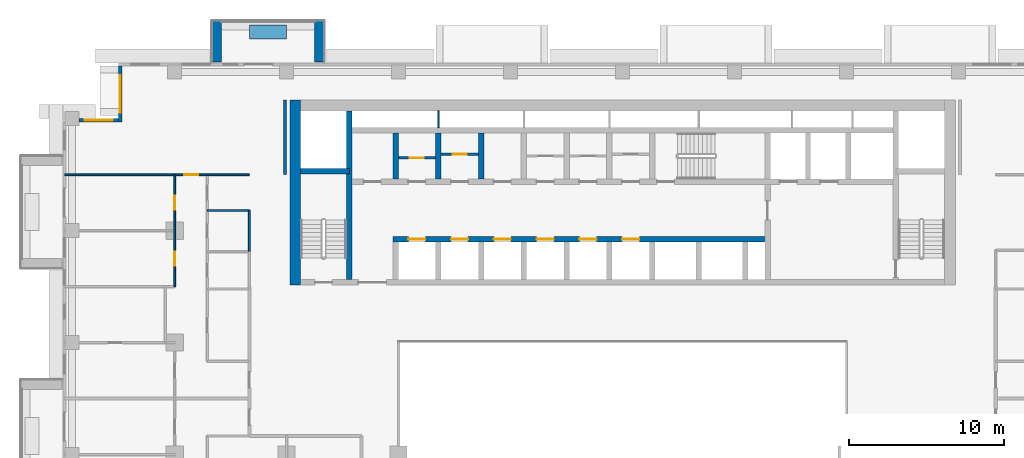
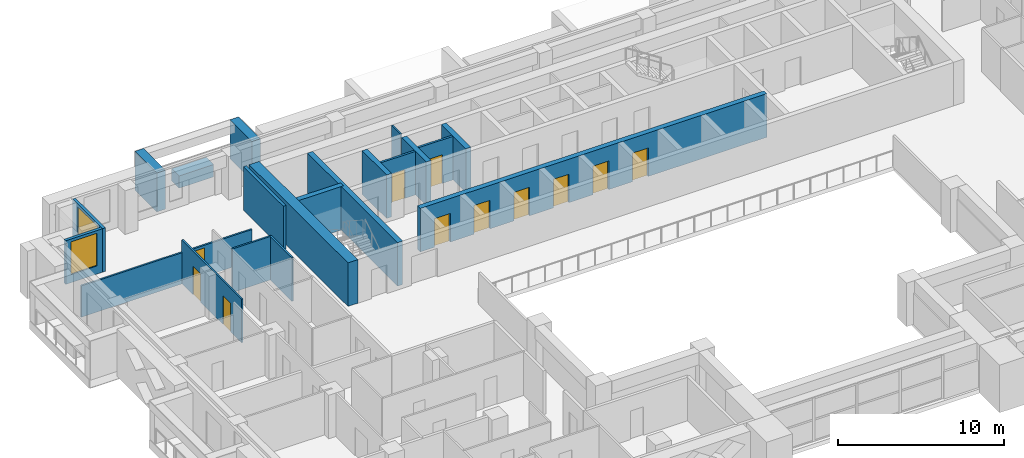
# One storey, part 10 of 20: 20 walls, 11 doors, 2 windows, 13 openings.
"""IFC4 building model written with IfcOpenShell, lengths in metres."""

from ifc_helpers import new_model, si_unit, direction, frame, frame_2d, origin, place, context, subcontext, project, spatial, rectangle, extrude, material, layer, layer_set, type_object, element, fill, save


model = new_model("IFC4")

# Units and contexts
model_context = context("Model", 3, precision=1e-05, world=origin(), true_north=direction((0.0, 1.0)))
body_context = subcontext(model_context, "Body", "Model", "MODEL_VIEW")
ifc_project = project(units=[si_unit("LENGTHUNIT", "METRE"), si_unit("AREAUNIT", "SQUARE_METRE"), si_unit("VOLUMEUNIT", "CUBIC_METRE"), si_unit("PLANEANGLEUNIT", "RADIAN"), si_unit("MASSUNIT", "GRAM", prefix="KILO")], contexts=[model_context])

# Site, building, storey
site_placement = place(None, origin())
site = spatial("IfcSite", under=ifc_project, at=site_placement, CompositionType="ELEMENT")
building_placement = place(site_placement, origin())
building = spatial("IfcBuilding", under=site, at=building_placement, Name="Saffron Iwan Residences", CompositionType="ELEMENT")
storey_placement = place(building_placement, frame((0.0, 0.0, 123.5)))
storey = spatial("IfcBuildingStorey", under=building, at=storey_placement, Name="L32", CompositionType="ELEMENT", Elevation=123.5)

# Walls
ifc_material_1 = material(Name="Concrete C50/60 white painted", Category="concrete")
ifc_layer_1 = layer(ifc_material_1, 0.60009765625)
ifc_layer_set_1 = layer_set([ifc_layer_1], Name="Concrete C50/60 white painted")
wall_type_1 = type_object("IfcWallType", Name="BALCONY FIN 600", PredefinedType="SOLIDWALL", material=ifc_layer_set_1)
for number, where, z_axis, x_axis, name in (
    (1, (30.89990234375, 80.449951171875, 0.0), (0.0, 0.0, 1.0), (0.0, 1.0, 0.0), "Balcony fin L32 F5-3a"),
    (2, (24.300048828125, 80.449951171875, 0.0), (0.0, 0.0, 1.0), (0.0, 1.0, 0.0), "Balcony fin L32 F5-3b"),
):
    element("IfcWall", number, at=place(storey_placement, frame(where, z_axis=z_axis, x_axis=x_axis)), inside=storey, type_object=wall_type_1, Name=name, PredefinedType="SOLIDWALL", context=body_context, shape_type="SweptSolid", body=[
        extrude(rectangle(XDim=2.650146484375, YDim=0.60009765625, at=frame_2d((1.3251953125, 0.0))), origin(), (0.0, 0.0, 1.0), 2.85009765625),
    ])
ifc_material_2 = material(Name="Concrete C35/45 white painted", Category="concrete")
ifc_layer_2 = layer(ifc_material_2, 0.14990234375)
ifc_layer_set_2 = layer_set([ifc_layer_2], Name="Concrete C35/45 white painted")
wall_type_2 = type_object("IfcWallType", Name="BALCONY PLANTER", PredefinedType="SOLIDWALL", material=ifc_layer_set_2)
wall_1_placement = place(storey_placement, frame((28.800048828125, 82.375, 0.0), z_axis=(0.0, 0.0, 1.0), x_axis=(-1.0, 0.0, 0.0)))
element("IfcWall", 3, at=wall_1_placement, inside=storey, type_object=wall_type_2, Name="PLANTER L32 F5-3", PredefinedType="SOLIDWALL", context=body_context, shape_type="SweptSolid", body=[
    extrude(rectangle(XDim=2.400146484375, YDim=0.89990234375, at=frame_2d((1.2001953125, 0.0))), origin(), (0.0, 0.0, 1.0), 0.89990234375),
])

# Wall, opening, door
ifc_material_3 = material(Name="Fire-rated plasterboard partition")
ifc_layer_3 = layer(ifc_material_3, 0.14990234375)
ifc_layer_set_3 = layer_set([ifc_layer_3], Name="Fire-rated plasterboard partition")
wall_type_3 = type_object("IfcWallType", Name="Core partition 150", PredefinedType="PARTITIONING", material=ifc_layer_set_3)
wall_2_placement = place(storey_placement, frame((35.97509765625, 74.281982421875, 0.0), z_axis=(0.0, 0.0, 1.0), x_axis=(1.0, 0.0, 0.0)))
wall_2 = element("IfcWall", 4, at=wall_2_placement, inside=storey, type_object=wall_type_3, Name="Core partition P01", PredefinedType="PARTITIONING", context=body_context, shape_type="SweptSolid", body=[
    extrude(rectangle(XDim=2.39990234375, YDim=0.14990234375, at=frame_2d((1.199951171875, 0.0))), origin(), (0.0, 0.0, 1.0), 3.199951171875),
])
opening_1_placement = place(wall_2_placement, frame((0.75, 0.0, 0.0)))
opening_1 = element("IfcOpeningElement", 5, at=opening_1_placement, cuts=wall_2, Name="Opening SB", PredefinedType="OPENING", context=body_context, shape_type="SweptSolid", body=[
    extrude(rectangle(XDim=0.89990234375, YDim=2.10009765625, at=frame_2d((0.449951171875, 1.050048828125))), frame((0.0, 0.0849609375, 0.0), z_axis=(0.0, -1.0, 0.0), x_axis=(1.0, 0.0, 0.0)), (0.0, 0.0, 1.0), 0.169921875),
])
ifc_material_4 = material(Name="Steel fire door", Category="steel")
door_type_1 = type_object("IfcDoorType", Name="Store door 900", OperationType="NOTDEFINED", PredefinedType="DOOR", material=ifc_material_4)
door_1_placement = place(opening_1_placement, origin())
door_1 = element("IfcDoor", 6, at=door_1_placement, inside=storey, type_object=door_type_1, Name="Door Stationery store", OperationType="SINGLE_SWING_LEFT", OverallHeight=2.10009765625, OverallWidth=0.89990234375, PredefinedType="DOOR", context=body_context, shape_type="SweptSolid", body=[
    extrude(rectangle(XDim=0.89990234375, YDim=2.10009765625, at=frame_2d((0.449951171875, 1.050048828125))), frame((0.0, 0.02490234375, 0.0), z_axis=(0.0, -1.0, 0.0), x_axis=(1.0, 0.0, 0.0)), (0.0, 0.0, 1.0), 0.050048828125),
])
fill(opening_1, door_1)

wall_3_placement = place(storey_placement, frame((38.72509765625, 74.51806640625, 0.0), z_axis=(0.0, 0.0, 1.0), x_axis=(1.0, 0.0, 0.0)))
wall_3 = element("IfcWall", 7, at=wall_3_placement, inside=storey, type_object=wall_type_3, Name="Core partition P02", PredefinedType="PARTITIONING", context=body_context, shape_type="SweptSolid", body=[
    extrude(rectangle(XDim=2.39990234375, YDim=0.14990234375, at=frame_2d((1.199951171875, 0.0))), origin(), (0.0, 0.0, 1.0), 3.199951171875),
])
opening_2_placement = place(wall_3_placement, frame((0.75, 0.0, 0.0)))
opening_2 = element("IfcOpeningElement", 8, at=opening_2_placement, cuts=wall_3, Name="Opening SB", PredefinedType="OPENING", context=body_context, shape_type="SweptSolid", body=[
    extrude(rectangle(XDim=0.89990234375, YDim=2.10009765625, at=frame_2d((0.449951171875, 1.050048828125))), frame((0.0, 0.0849609375, 0.0), z_axis=(0.0, -1.0, 0.0), x_axis=(1.0, 0.0, 0.0)), (0.0, 0.0, 1.0), 0.169921875),
])
door_2_placement = place(opening_2_placement, origin())
door_2 = element("IfcDoor", 9, at=door_2_placement, inside=storey, type_object=door_type_1, Name="Door Tool store", OperationType="SINGLE_SWING_LEFT", OverallHeight=2.10009765625, OverallWidth=0.89990234375, PredefinedType="DOOR", context=body_context, shape_type="SweptSolid", body=[
    extrude(rectangle(XDim=0.89990234375, YDim=2.10009765625, at=frame_2d((0.449951171875, 1.050048828125))), frame((0.0, 0.02490234375, 0.0), z_axis=(0.0, -1.0, 0.0), x_axis=(1.0, 0.0, 0.0)), (0.0, 0.0, 1.0), 0.050048828125),
])
fill(opening_2, door_2)

# Wall, opening, window
ifc_material_5 = material(Name="Concrete C40/50", Category="concrete")
ifc_layer_4 = layer(ifc_material_5, 0.199951171875)
ifc_layer_set_4 = layer_set([ifc_layer_4], Name="Concrete C40/50")
wall_type_4 = type_object("IfcWallType", Name="EXTERNAL WALL 200", PredefinedType="SOLIDWALL", material=ifc_layer_set_4)
wall_4_placement = place(storey_placement, frame((18.10009765625, 80.199951171875, 0.0), z_axis=(0.0, 0.0, 1.0), x_axis=(0.0, -1.0, 0.0)))
wall_4 = element("IfcWall", 10, at=wall_4_placement, inside=storey, type_object=wall_type_4, Name="External wall L32 F6.0", PredefinedType="SOLIDWALL", context=body_context, shape_type="SweptSolid", body=[
    extrude(rectangle(XDim=3.599853515625, YDim=0.199951171875, at=frame_2d((1.7998046875, 0.0))), origin(), (0.0, 0.0, 1.0), 3.199951171875),
])
opening_3_placement = place(wall_4_placement, frame((0.60009765625, 0.0, 0.60009765625)))
opening_3 = element("IfcOpeningElement", 11, at=opening_3_placement, cuts=wall_4, Name="Opening W1", PredefinedType="OPENING", context=body_context, shape_type="SweptSolid", body=[
    extrude(rectangle(XDim=2.39990234375, YDim=2.39990234375, at=frame_2d((1.199951171875, 1.199951171875))), frame((0.0, 0.10986328125, 0.0), z_axis=(0.0, -1.0, 0.0), x_axis=(1.0, 0.0, 0.0)), (0.0, 0.0, 1.0), 0.219970703125),
])
ifc_material_6 = material(Name="Clear glass, laminated double glazed", Category="glass")
window_type_1 = type_object("IfcWindowType", Name="WINDOW 2400 x 2400", PartitioningType="DOUBLE_PANEL_VERTICAL", PredefinedType="WINDOW", material=ifc_material_6)
window_1_placement = place(opening_3_placement, origin())
window_1 = element("IfcWindow", 12, at=window_1_placement, inside=storey, type_object=window_type_1, Name="Window L32 F6.0", OverallHeight=2.39990234375, OverallWidth=2.39990234375, PartitioningType="DOUBLE_PANEL_VERTICAL", PredefinedType="WINDOW", context=body_context, shape_type="SweptSolid", body=[
    extrude(rectangle(XDim=2.39990234375, YDim=2.39990234375, at=frame_2d((1.199951171875, 1.199951171875))), frame((0.0, 0.030029296875, 0.0), z_axis=(0.0, -1.0, 0.0), x_axis=(1.0, 0.0, 0.0)), (0.0, 0.0, 1.0), 0.06005859375),
])
fill(opening_3, window_1)

wall_5_placement = place(storey_placement, frame((18.0, 76.699951171875, 0.0), z_axis=(0.0, 0.0, 1.0), x_axis=(-1.0, 0.0, 0.0)))
wall_5 = element("IfcWall", 13, at=wall_5_placement, inside=storey, type_object=wall_type_4, Name="External wall L32 F7.0", PredefinedType="SOLIDWALL", context=body_context, shape_type="SweptSolid", body=[
    extrude(rectangle(XDim=2.550048828125, YDim=0.199951171875, at=frame_2d((1.27490234375, 0.0))), origin(), (0.0, 0.0, 1.0), 3.199951171875),
])
opening_4_placement = place(wall_5_placement, frame((0.375, 0.0, 0.60009765625)))
opening_4 = element("IfcOpeningElement", 14, at=opening_4_placement, cuts=wall_5, Name="Opening W8", PredefinedType="OPENING", context=body_context, shape_type="SweptSolid", body=[
    extrude(rectangle(XDim=1.800048828125, YDim=2.39990234375, at=frame_2d((0.89990234375, 1.199951171875))), frame((0.0, 0.10986328125, 0.0), z_axis=(0.0, -1.0, 0.0), x_axis=(1.0, 0.0, 0.0)), (0.0, 0.0, 1.0), 0.219970703125),
])
window_type_2 = type_object("IfcWindowType", Name="WINDOW 1800 x 2400", PartitioningType="DOUBLE_PANEL_VERTICAL", PredefinedType="WINDOW", material=ifc_material_6)
window_2_placement = place(opening_4_placement, origin())
window_2 = element("IfcWindow", 15, at=window_2_placement, inside=storey, type_object=window_type_2, Name="Window L32 F7.0", OverallHeight=2.39990234375, OverallWidth=1.800048828125, PartitioningType="DOUBLE_PANEL_VERTICAL", PredefinedType="WINDOW", context=body_context, shape_type="SweptSolid", body=[
    extrude(rectangle(XDim=1.800048828125, YDim=2.39990234375, at=frame_2d((0.89990234375, 1.199951171875))), frame((0.0, 0.030029296875, 0.0), z_axis=(0.0, -1.0, 0.0), x_axis=(1.0, 0.0, 0.0)), (0.0, 0.0, 1.0), 0.06005859375),
])
fill(opening_4, window_2)

# Wall
ifc_material_7 = material(Name="Gypsum board partition")
ifc_layer_5 = layer(ifc_material_7, 0.1201171875)
ifc_layer_set_5 = layer_set([ifc_layer_5], Name="Gypsum board partition")
wall_type_5 = type_object("IfcWallType", Name="Flat partition 120", PredefinedType="PARTITIONING", material=ifc_layer_set_5)
wall_6_placement = place(storey_placement, frame((23.699951171875, 70.89990234375, 0.0), z_axis=(0.0, 0.0, 1.0), x_axis=(1.0, 0.0, 0.0)))
element("IfcWall", 16, at=wall_6_placement, inside=storey, type_object=wall_type_5, Name="W-L32-PART-h70.9-23.7", PredefinedType="PARTITIONING", context=body_context, shape_type="SweptSolid", body=[
    extrude(rectangle(XDim=2.699951171875, YDim=0.1201171875, at=frame_2d((1.35009765625, 0.0))), origin(), (0.0, 0.0, 1.0), 3.199951171875),
])

# Wall, opening, door
wall_7_placement = place(storey_placement, frame((14.52490234375, 73.199951171875, 0.0), z_axis=(0.0, 0.0, 1.0), x_axis=(1.0, 0.0, 0.0)))
wall_7 = element("IfcWall", 17, at=wall_7_placement, inside=storey, type_object=wall_type_5, Name="W-L32-PART-h73.2-14.525", PredefinedType="PARTITIONING", context=body_context, shape_type="SweptSolid", body=[
    extrude(rectangle(XDim=11.875, YDim=0.1201171875, at=frame_2d((5.9375, 0.0))), origin(), (0.0, 0.0, 1.0), 2.300048828125),
])
opening_5_placement = place(wall_7_placement, frame((7.675048828125, 0.0, 0.0)))
opening_5 = element("IfcOpeningElement", 18, at=opening_5_placement, cuts=wall_7, Name="Opening FD2", PredefinedType="OPENING", context=body_context, shape_type="SweptSolid", body=[
    extrude(rectangle(XDim=0.89990234375, YDim=2.10009765625, at=frame_2d((0.449951171875, 1.050048828125))), frame((0.0, 0.070068359375, 0.0), z_axis=(0.0, -1.0, 0.0), x_axis=(1.0, 0.0, 0.0)), (0.0, 0.0, 1.0), 0.14013671875),
])
ifc_material_8 = material(Name="Timber door", Category="wood")
door_type_2 = type_object("IfcDoorType", Name="Flat door 900", OperationType="NOTDEFINED", PredefinedType="DOOR", material=ifc_material_8)
door_3_placement = place(opening_5_placement, origin())
door_3 = element("IfcDoor", 19, at=door_3_placement, inside=storey, type_object=door_type_2, Name="Door L32-024", OperationType="SINGLE_SWING_LEFT", OverallHeight=2.10009765625, OverallWidth=0.89990234375, PredefinedType="DOOR", context=body_context, shape_type="SweptSolid", body=[
    extrude(rectangle(XDim=0.89990234375, YDim=2.10009765625, at=frame_2d((0.449951171875, 1.050048828125))), frame((0.0, 0.02490234375, 0.0), z_axis=(0.0, -1.0, 0.0), x_axis=(1.0, 0.0, 0.0)), (0.0, 0.0, 1.0), 0.050048828125),
])
fill(opening_5, door_3)

# Wall, openings, doors
wall_8_placement = place(storey_placement, frame((21.60009765625, 66.0, 0.0), z_axis=(0.0, 0.0, 1.0), x_axis=(0.0, 1.0, 0.0)))
wall_8 = element("IfcWall", 20, at=wall_8_placement, inside=storey, type_object=wall_type_5, Name="W-L32-PART-v21.6-66", PredefinedType="PARTITIONING", context=body_context, shape_type="SweptSolid", body=[
    extrude(rectangle(XDim=7.199951171875, YDim=0.1201171875, at=frame_2d((3.60009765625, 0.0))), origin(), (0.0, 0.0, 1.0), 3.199951171875),
])
opening_6_placement = place(wall_8_placement, frame((1.35009765625, 0.0, 0.0)))
opening_6 = element("IfcOpeningElement", 21, at=opening_6_placement, cuts=wall_8, Name="Opening FD2", PredefinedType="OPENING", context=body_context, shape_type="SweptSolid", body=[
    extrude(rectangle(XDim=0.89990234375, YDim=2.10009765625, at=frame_2d((0.449951171875, 1.050048828125))), frame((0.0, 0.070068359375, 0.0), z_axis=(0.0, -1.0, 0.0), x_axis=(1.0, 0.0, 0.0)), (0.0, 0.0, 1.0), 0.14013671875),
])
opening_7_placement = place(wall_8_placement, frame((4.949951171875, 0.0, 0.0)))
opening_7 = element("IfcOpeningElement", 22, at=opening_7_placement, cuts=wall_8, Name="Opening FD2", PredefinedType="OPENING", context=body_context, shape_type="SweptSolid", body=[
    extrude(rectangle(XDim=0.89990234375, YDim=2.10009765625, at=frame_2d((0.449951171875, 1.050048828125))), frame((0.0, 0.070068359375, 0.0), z_axis=(0.0, -1.0, 0.0), x_axis=(1.0, 0.0, 0.0)), (0.0, 0.0, 1.0), 0.14013671875),
])
door_4_placement = place(opening_6_placement, origin())
door_4 = element("IfcDoor", 23, at=door_4_placement, inside=storey, type_object=door_type_2, Name="Door L32-022", OperationType="SINGLE_SWING_LEFT", OverallHeight=2.10009765625, OverallWidth=0.89990234375, PredefinedType="DOOR", context=body_context, shape_type="SweptSolid", body=[
    extrude(rectangle(XDim=0.89990234375, YDim=2.10009765625, at=frame_2d((0.449951171875, 1.050048828125))), frame((0.0, 0.02490234375, 0.0), z_axis=(0.0, -1.0, 0.0), x_axis=(1.0, 0.0, 0.0)), (0.0, 0.0, 1.0), 0.050048828125),
])
fill(opening_6, door_4)
door_5_placement = place(opening_7_placement, origin())
door_5 = element("IfcDoor", 24, at=door_5_placement, inside=storey, type_object=door_type_2, Name="Door L32-023", OperationType="SINGLE_SWING_RIGHT", OverallHeight=2.10009765625, OverallWidth=0.89990234375, PredefinedType="DOOR", context=body_context, shape_type="SweptSolid", body=[
    extrude(rectangle(XDim=0.89990234375, YDim=2.10009765625, at=frame_2d((0.449951171875, 1.050048828125))), frame((0.0, 0.02490234375, 0.0), z_axis=(0.0, -1.0, 0.0), x_axis=(1.0, 0.0, 0.0)), (0.0, 0.0, 1.0), 0.050048828125),
])
fill(opening_7, door_5)

# Walls
wall_9_placement = place(storey_placement, frame((26.39990234375, 68.25, 0.0), z_axis=(0.0, 0.0, 1.0), x_axis=(0.0, 1.0, 0.0)))
element("IfcWall", 25, at=wall_9_placement, inside=storey, type_object=wall_type_5, Name="W-L32-PART-v26.4-68.25", PredefinedType="PARTITIONING", context=body_context, shape_type="SweptSolid", body=[
    extrude(rectangle(XDim=2.64990234375, YDim=0.1201171875, at=frame_2d((1.324951171875, 0.0))), origin(), (0.0, 0.0, 1.0), 3.199951171875),
])
ifc_material_9 = material(Name="Fire-rated gypsum board wall")
ifc_layer_6 = layer(ifc_material_9, 0.199951171875)
ifc_layer_set_6 = layer_set([ifc_layer_6], Name="Fire-rated gypsum board wall")
wall_type_6 = type_object("IfcWallType", Name="Gallery wall 200", PredefinedType="SOLIDWALL", material=ifc_layer_set_6)
wall_10_placement = place(storey_placement, frame((28.699951171875, 73.199951171875, 0.0), z_axis=(0.0, 0.0, 1.0), x_axis=(0.0, 1.0, 0.0)))
element("IfcWall", 26, at=wall_10_placement, inside=storey, type_object=wall_type_6, Name="W-L32-CORR-v28.8-73.2", PredefinedType="SOLIDWALL", context=body_context, shape_type="SweptSolid", body=[
    extrude(rectangle(XDim=4.800048828125, YDim=0.199951171875, at=frame_2d((2.39990234375, 0.0))), origin(), (0.0, 0.0, 1.0), 3.199951171875),
])
ifc_layer_7 = layer(ifc_material_3, 0.10009765625)
ifc_layer_set_7 = layer_set([ifc_layer_7], Name="Fire-rated plasterboard partition")
wall_type_7 = type_object("IfcWallType", Name="Riser partition 100", PredefinedType="PARTITIONING", material=ifc_layer_set_7)
wall_11_placement = place(storey_placement, frame((38.550048828125, 76.22509765625, 0.0), z_axis=(0.0, 0.0, 1.0), x_axis=(0.0, 1.0, 0.0)))
element("IfcWall", 27, at=wall_11_placement, inside=storey, type_object=wall_type_7, Name="Core partition P06", PredefinedType="PARTITIONING", context=body_context, shape_type="SweptSolid", body=[
    extrude(rectangle(XDim=1.074951171875, YDim=0.10009765625, at=frame_2d((0.53759765625, 0.0))), origin(), (0.0, 0.0, 1.0), 3.199951171875),
])

# Wall, openings, doors
ifc_material_10 = material(Name="Concrete C50/60", Category="concrete")
ifc_layer_8 = layer(ifc_material_10, 0.35009765625)
ifc_layer_set_8 = layer_set([ifc_layer_8], Name="Concrete C50/60")
wall_type_8 = type_object("IfcWallType", Name="WALL CORE 350 C50/60 3200 HIGH", PredefinedType="SHEAR", material=ifc_layer_set_8)
wall_12_placement = place(storey_placement, frame((35.625, 69.050048828125, 0.0), z_axis=(0.0, 0.0, 1.0), x_axis=(1.0, 0.0, 0.0)))
wall_12 = element("IfcWall", 28, at=wall_12_placement, inside=storey, type_object=wall_type_8, Name="Core wall", PredefinedType="SHEAR", context=body_context, shape_type="SweptSolid", body=[
    extrude(rectangle(XDim=24.10009765625, YDim=0.35009765625, at=frame_2d((12.050048828125, 0.0))), origin(), (0.0, 0.0, 1.0), 3.199951171875),
])
opening_8_placement = place(wall_12_placement, frame((1.0, 0.0, 0.0)))
opening_8 = element("IfcOpeningElement", 29, at=opening_8_placement, cuts=wall_12, Name="Opening LD", PredefinedType="OPENING", context=body_context, shape_type="SweptSolid", body=[
    extrude(rectangle(XDim=1.10009765625, YDim=2.10009765625, at=frame_2d((0.550048828125, 1.050048828125))), frame((0.0, 0.18505859375, 0.0), z_axis=(0.0, -1.0, 0.0), x_axis=(1.0, 0.0, 0.0)), (0.0, 0.0, 1.0), 0.3701171875),
])
opening_9_placement = place(wall_12_placement, frame((3.75, 0.0, 0.0)))
opening_9 = element("IfcOpeningElement", 30, at=opening_9_placement, cuts=wall_12, Name="Opening LD", PredefinedType="OPENING", context=body_context, shape_type="SweptSolid", body=[
    extrude(rectangle(XDim=1.10009765625, YDim=2.10009765625, at=frame_2d((0.550048828125, 1.050048828125))), frame((0.0, 0.18505859375, 0.0), z_axis=(0.0, -1.0, 0.0), x_axis=(1.0, 0.0, 0.0)), (0.0, 0.0, 1.0), 0.3701171875),
])
opening_10_placement = place(wall_12_placement, frame((6.5, 0.0, 0.0)))
opening_10 = element("IfcOpeningElement", 31, at=opening_10_placement, cuts=wall_12, Name="Opening LD", PredefinedType="OPENING", context=body_context, shape_type="SweptSolid", body=[
    extrude(rectangle(XDim=1.10009765625, YDim=2.10009765625, at=frame_2d((0.550048828125, 1.050048828125))), frame((0.0, 0.18505859375, 0.0), z_axis=(0.0, -1.0, 0.0), x_axis=(1.0, 0.0, 0.0)), (0.0, 0.0, 1.0), 0.3701171875),
])
opening_11_placement = place(wall_12_placement, frame((9.25, 0.0, 0.0)))
opening_11 = element("IfcOpeningElement", 32, at=opening_11_placement, cuts=wall_12, Name="Opening LD", PredefinedType="OPENING", context=body_context, shape_type="SweptSolid", body=[
    extrude(rectangle(XDim=1.10009765625, YDim=2.10009765625, at=frame_2d((0.550048828125, 1.050048828125))), frame((0.0, 0.18505859375, 0.0), z_axis=(0.0, -1.0, 0.0), x_axis=(1.0, 0.0, 0.0)), (0.0, 0.0, 1.0), 0.3701171875),
])
opening_12_placement = place(wall_12_placement, frame((12.0, 0.0, 0.0)))
opening_12 = element("IfcOpeningElement", 33, at=opening_12_placement, cuts=wall_12, Name="Opening LD", PredefinedType="OPENING", context=body_context, shape_type="SweptSolid", body=[
    extrude(rectangle(XDim=1.10009765625, YDim=2.10009765625, at=frame_2d((0.550048828125, 1.050048828125))), frame((0.0, 0.18505859375, 0.0), z_axis=(0.0, -1.0, 0.0), x_axis=(1.0, 0.0, 0.0)), (0.0, 0.0, 1.0), 0.3701171875),
])
opening_13_placement = place(wall_12_placement, frame((14.75, 0.0, 0.0)))
opening_13 = element("IfcOpeningElement", 34, at=opening_13_placement, cuts=wall_12, Name="Opening LD", PredefinedType="OPENING", context=body_context, shape_type="SweptSolid", body=[
    extrude(rectangle(XDim=1.10009765625, YDim=2.10009765625, at=frame_2d((0.550048828125, 1.050048828125))), frame((0.0, 0.18505859375, 0.0), z_axis=(0.0, -1.0, 0.0), x_axis=(1.0, 0.0, 0.0)), (0.0, 0.0, 1.0), 0.3701171875),
])
door_type_3 = type_object("IfcDoorType", Name="Lift landing door 1100", OperationType="SLIDING_TO_LEFT", PredefinedType="DOOR", material=ifc_material_4)
door_6_placement = place(opening_8_placement, origin())
door_6 = element("IfcDoor", 35, at=door_6_placement, inside=storey, type_object=door_type_3, Name="Landing doors LR1", OperationType="SLIDING_TO_LEFT", OverallHeight=2.10009765625, OverallWidth=1.10009765625, PredefinedType="DOOR", context=body_context, shape_type="SweptSolid", body=[
    extrude(rectangle(XDim=1.10009765625, YDim=2.10009765625, at=frame_2d((0.550048828125, 1.050048828125))), frame((0.0, 0.02490234375, 0.0), z_axis=(0.0, -1.0, 0.0), x_axis=(1.0, 0.0, 0.0)), (0.0, 0.0, 1.0), 0.050048828125),
])
fill(opening_8, door_6)
door_7_placement = place(opening_9_placement, origin())
door_7 = element("IfcDoor", 36, at=door_7_placement, inside=storey, type_object=door_type_3, Name="Landing doors LR2", OperationType="SLIDING_TO_LEFT", OverallHeight=2.10009765625, OverallWidth=1.10009765625, PredefinedType="DOOR", context=body_context, shape_type="SweptSolid", body=[
    extrude(rectangle(XDim=1.10009765625, YDim=2.10009765625, at=frame_2d((0.550048828125, 1.050048828125))), frame((0.0, 0.02490234375, 0.0), z_axis=(0.0, -1.0, 0.0), x_axis=(1.0, 0.0, 0.0)), (0.0, 0.0, 1.0), 0.050048828125),
])
fill(opening_9, door_7)
door_8_placement = place(opening_10_placement, origin())
door_8 = element("IfcDoor", 37, at=door_8_placement, inside=storey, type_object=door_type_3, Name="Landing doors LR3", OperationType="SLIDING_TO_LEFT", OverallHeight=2.10009765625, OverallWidth=1.10009765625, PredefinedType="DOOR", context=body_context, shape_type="SweptSolid", body=[
    extrude(rectangle(XDim=1.10009765625, YDim=2.10009765625, at=frame_2d((0.550048828125, 1.050048828125))), frame((0.0, 0.02490234375, 0.0), z_axis=(0.0, -1.0, 0.0), x_axis=(1.0, 0.0, 0.0)), (0.0, 0.0, 1.0), 0.050048828125),
])
fill(opening_10, door_8)
door_9_placement = place(opening_11_placement, origin())
door_9 = element("IfcDoor", 38, at=door_9_placement, inside=storey, type_object=door_type_3, Name="Landing doors LR4", OperationType="SLIDING_TO_LEFT", OverallHeight=2.10009765625, OverallWidth=1.10009765625, PredefinedType="DOOR", context=body_context, shape_type="SweptSolid", body=[
    extrude(rectangle(XDim=1.10009765625, YDim=2.10009765625, at=frame_2d((0.550048828125, 1.050048828125))), frame((0.0, 0.02490234375, 0.0), z_axis=(0.0, -1.0, 0.0), x_axis=(1.0, 0.0, 0.0)), (0.0, 0.0, 1.0), 0.050048828125),
])
fill(opening_11, door_9)
door_10_placement = place(opening_12_placement, origin())
door_10 = element("IfcDoor", 39, at=door_10_placement, inside=storey, type_object=door_type_3, Name="Landing doors LR5", OperationType="SLIDING_TO_LEFT", OverallHeight=2.10009765625, OverallWidth=1.10009765625, PredefinedType="DOOR", context=body_context, shape_type="SweptSolid", body=[
    extrude(rectangle(XDim=1.10009765625, YDim=2.10009765625, at=frame_2d((0.550048828125, 1.050048828125))), frame((0.0, 0.02490234375, 0.0), z_axis=(0.0, -1.0, 0.0), x_axis=(1.0, 0.0, 0.0)), (0.0, 0.0, 1.0), 0.050048828125),
])
fill(opening_12, door_10)
door_11_placement = place(opening_13_placement, origin())
door_11 = element("IfcDoor", 40, at=door_11_placement, inside=storey, type_object=door_type_3, Name="Landing doors LR6", OperationType="SLIDING_TO_LEFT", OverallHeight=2.10009765625, OverallWidth=1.10009765625, PredefinedType="DOOR", context=body_context, shape_type="SweptSolid", body=[
    extrude(rectangle(XDim=1.10009765625, YDim=2.10009765625, at=frame_2d((0.550048828125, 1.050048828125))), frame((0.0, 0.02490234375, 0.0), z_axis=(0.0, -1.0, 0.0), x_axis=(1.0, 0.0, 0.0)), (0.0, 0.0, 1.0), 0.050048828125),
])
fill(opening_13, door_11)

# Walls
wall_13_placement = place(storey_placement, frame((29.699951171875, 73.425048828125, 0.0), z_axis=(0.0, 0.0, 1.0), x_axis=(1.0, 0.0, 0.0)))
element("IfcWall", 41, at=wall_13_placement, inside=storey, type_object=wall_type_8, Name="Core wall", PredefinedType="SHEAR", context=body_context, shape_type="SweptSolid", body=[
    extrude(rectangle(XDim=3.125, YDim=0.35009765625, at=frame_2d((1.5625, 0.0))), origin(), (0.0, 0.0, 1.0), 3.199951171875),
])
wall_14_placement = place(storey_placement, frame((32.824951171875, 66.449951171875, 0.0), z_axis=(0.0, 0.0, 1.0), x_axis=(0.0, 1.0, 0.0)))
element("IfcWall", 42, at=wall_14_placement, inside=storey, type_object=wall_type_8, Name="Core wall", PredefinedType="SHEAR", context=body_context, shape_type="SweptSolid", body=[
    extrude(rectangle(XDim=10.85009765625, YDim=0.35009765625, at=frame_2d((5.425048828125, 0.0))), origin(), (0.0, 0.0, 1.0), 3.199951171875),
])
for number, where, z_axis, x_axis, name in (
    (43, (35.800048828125, 72.925048828125, 0.0), (0.0, 0.0, 1.0), (0.0, 1.0, 0.0), "Core wall"),
    (44, (38.550048828125, 72.925048828125, 0.0), (0.0, 0.0, 1.0), (0.0, 1.0, 0.0), "Core wall"),
    (45, (41.300048828125, 72.925048828125, 0.0), (0.0, 0.0, 1.0), (0.0, 1.0, 0.0), "Core wall"),
):
    element("IfcWall", number, at=place(storey_placement, frame(where, z_axis=z_axis, x_axis=x_axis)), inside=storey, type_object=wall_type_8, Name=name, PredefinedType="SHEAR", context=body_context, shape_type="SweptSolid", body=[
        extrude(rectangle(XDim=2.949951171875, YDim=0.35009765625, at=frame_2d((1.47509765625, 0.0))), origin(), (0.0, 0.0, 1.0), 3.199951171875),
    ])
ifc_layer_9 = layer(ifc_material_10, 0.699951171875)
ifc_layer_set_9 = layer_set([ifc_layer_9], Name="Concrete C50/60")
wall_type_9 = type_object("IfcWallType", Name="WALL CORE 700 C50/60 3200 HIGH", PredefinedType="SHEAR", material=ifc_layer_set_9)
wall_15_placement = place(storey_placement, frame((29.35009765625, 66.10009765625, 0.0), z_axis=(0.0, 0.0, 1.0), x_axis=(0.0, 1.0, 0.0)))
element("IfcWall", 46, at=wall_15_placement, inside=storey, type_object=wall_type_9, Name="Core wall", PredefinedType="SHEAR", context=body_context, shape_type="SweptSolid", body=[
    extrude(rectangle(XDim=11.89990234375, YDim=0.699951171875, at=frame_2d((5.949951171875, 0.0))), origin(), (0.0, 0.0, 1.0), 3.199951171875),
])

save(model, "model.ifc")
